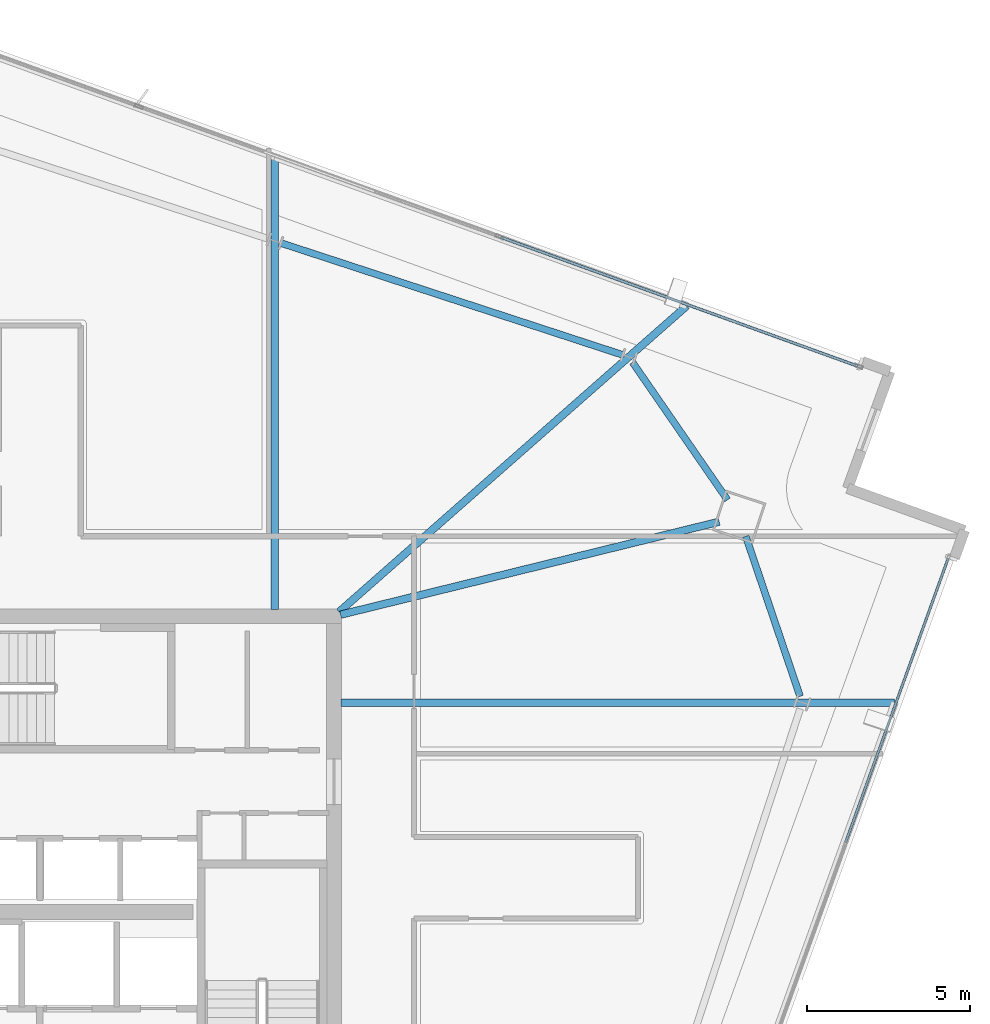
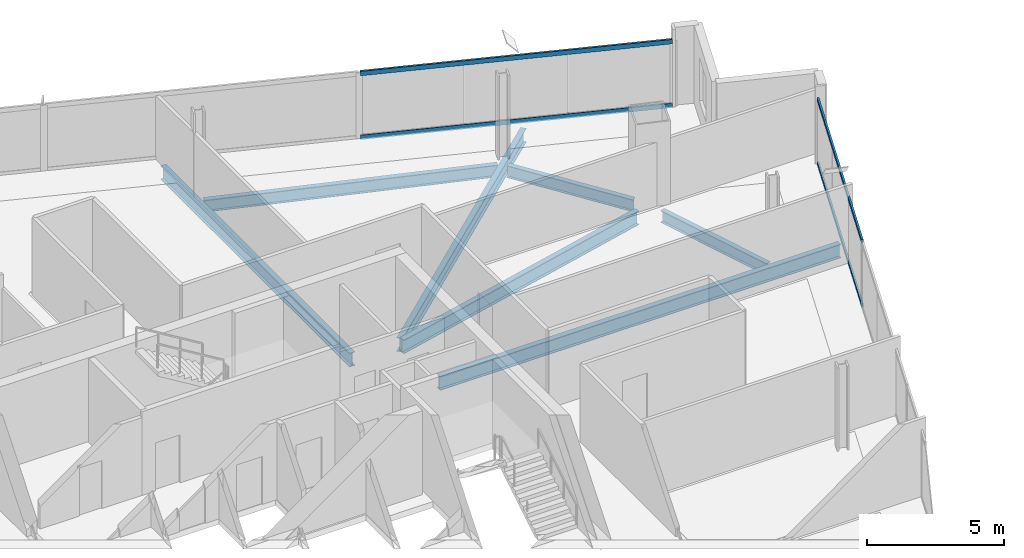
# One storey, part 15 of 27: 7 beams, 4 members, 2 elements without a shape of their own.
"""IFC4 building model written with IfcOpenShell, lengths in metres."""

import ifcopenshell
import ifcopenshell.guid

model = None  # the IFC model being written
_history = None  # IfcOwnerHistory: only IFC2X3 demands one
_inside = {}  # id of a spatial element -> (the spatial element, [elements in it])
_under = {}  # id of a project, library or spatial element -> (it, [spatial elements below it])
_declared = {}  # id of a project -> (the project, [libraries it declares])
_typed = {}  # id of a type object -> (the type object, [elements of that type])
_made_of = {}  # id of a material, layer set ... -> (it, [elements and type objects made of it])


def new_model(schema):
    """Start an empty IFC model of exactly this schema.

    Asked for "IFC4X3", IfcOpenShell would pick the latest addendum, in which some entities
    have other attributes; the version numbers below select the first issue.
    IFC2X3 requires an IfcOwnerHistory on every rooted entity: one is made here for all.
    """
    global model, _history
    if schema == "IFC4X3":
        model = ifcopenshell.file(schema_version=(4, 3, 0, 0))
    else:
        model = ifcopenshell.file(schema=schema)
    _inside.clear()
    _under.clear()
    _declared.clear()
    _typed.clear()
    _made_of.clear()
    _history = None
    if model.schema == "IFC2X3":
        org = make("IfcOrganization", Name="unknown")
        user = make(
            "IfcPersonAndOrganization",
            ThePerson=make("IfcPerson", FamilyName="unknown"),
            TheOrganization=org,
        )
        app = make(
            "IfcApplication",
            ApplicationDeveloper=org,
            Version="unknown",
            ApplicationFullName="unknown",
            ApplicationIdentifier="unknown",
        )
        _history = make(
            "IfcOwnerHistory",
            OwningUser=user,
            OwningApplication=app,
            ChangeAction="ADDED",
            CreationDate=0,
        )
    return model


def make(cls, **values):
    """One entity of the class cls with the attributes given. An attribute that is None is left unset."""
    return model.create_entity(
        cls, **{name: value for name, value in values.items() if value is not None}
    )


def rooted(cls, **values):
    """An entity with a GlobalId (a new one), such as an element, a storey or a relation."""
    return make(cls, GlobalId=ifcopenshell.guid.new(), OwnerHistory=_history, **values)


def si_unit(unit_type, name, prefix=None):
    """IfcSIUnit, for example si_unit("LENGTHUNIT", "METRE", prefix="MILLI")."""
    return make("IfcSIUnit", UnitType=unit_type, Prefix=prefix, Name=name)


def assignment(units):
    """IfcUnitAssignment: the units of a project."""
    return None if units is None else make("IfcUnitAssignment", Units=units)


def point(xyz):
    """IfcCartesianPoint."""
    return None if xyz is None else make("IfcCartesianPoint", Coordinates=xyz)


def direction(xyz):
    """IfcDirection."""
    return None if xyz is None else make("IfcDirection", DirectionRatios=xyz)


def frame(location, z_axis=None, x_axis=None):
    """IfcAxis2Placement3D, a coordinate frame: its origin and axes. An axis left out is left unset."""
    return make(
        "IfcAxis2Placement3D",
        Location=point(location),
        Axis=direction(z_axis),
        RefDirection=direction(x_axis),
    )


def frame_2d(location, x_axis=None):
    """IfcAxis2Placement2D, a coordinate frame in the plane: its origin and x axis."""
    return make(
        "IfcAxis2Placement2D", Location=point(location), RefDirection=direction(x_axis)
    )


def origin():
    """The frame at (0, 0, 0) with its axes left unset."""
    return frame((0.0, 0.0, 0.0))


def origin_2d():
    """The frame at (0, 0) in the plane with its x axis left unset."""
    return frame_2d((0.0, 0.0))


def place(relative_to, where):
    """IfcLocalPlacement: puts the frame where relative to a parent placement (None: the world)."""
    return make(
        "IfcLocalPlacement", PlacementRelTo=relative_to, RelativePlacement=where
    )


def context(
    kind, dimensions, precision=None, world=None, true_north=None, identifier=None
):
    """IfcGeometricRepresentationContext, for example the 3D "Model" context."""
    return make(
        "IfcGeometricRepresentationContext",
        ContextIdentifier=identifier,
        ContextType=kind,
        CoordinateSpaceDimension=dimensions,
        Precision=precision,
        WorldCoordinateSystem=world,
        TrueNorth=true_north,
    )


def subcontext(parent, identifier, kind, view, scale=None):
    """IfcGeometricRepresentationSubContext, for example "Body" below "Model"."""
    return make(
        "IfcGeometricRepresentationSubContext",
        ContextIdentifier=identifier,
        ContextType=kind,
        ParentContext=parent,
        TargetScale=scale,
        TargetView=view,
    )


def project(units=None, contexts=None):
    """IfcProject with its units and contexts."""
    return rooted(
        "IfcProject",
        Name="project",
        RepresentationContexts=contexts,
        UnitsInContext=assignment(units),
    )


def spatial(cls, under=None, at=None, **own):
    """A site, building, storey or space (cls), placed at a placement, below another one or the project."""
    s = rooted(cls, ObjectPlacement=at, **own)
    if under is not None:
        _under.setdefault(under.id(), (under, []))[1].append(s)
    return s


def profile(cls, at=None, kind="AREA", **sizes):
    """A parametric profile (cls). Its sizes go by their IFC names, for example OverallWidth=200.0."""
    return make(cls, ProfileType=kind, Position=at, **sizes)


def hollow_rectangle(**sizes):
    """IfcRectangleHollowProfileDef."""
    return profile("IfcRectangleHollowProfileDef", **sizes)


def i_section(**sizes):
    """IfcIShapeProfileDef."""
    return profile("IfcIShapeProfileDef", **sizes)


def extrude(swept, where, along, depth):
    """IfcExtrudedAreaSolid: the profile swept, set in the frame where, extruded along a direction by depth."""
    return make(
        "IfcExtrudedAreaSolid",
        SweptArea=swept,
        Position=where,
        ExtrudedDirection=direction(along),
        Depth=depth,
    )


def shape(context_of_items, identifier, shape_type, items):
    """IfcShapeRepresentation: the items that make up one representation, for example the "Body"."""
    return make(
        "IfcShapeRepresentation",
        ContextOfItems=context_of_items,
        RepresentationIdentifier=identifier,
        RepresentationType=shape_type,
        Items=items,
    )


def material(Name=None, Category=None):
    """IfcMaterial."""
    return make("IfcMaterial", Name=Name, Category=Category)


def material_profile(
    of_material, cross_section, Name=None, Category=None, Priority=None
):
    """IfcMaterialProfile: a cross section and its material."""
    return make(
        "IfcMaterialProfile",
        Name=Name,
        Material=of_material,
        Profile=cross_section,
        Priority=Priority,
        Category=Category,
    )


def profile_set(profiles, Name=None, composite=None):
    """IfcMaterialProfileSet."""
    return make(
        "IfcMaterialProfileSet",
        Name=Name,
        MaterialProfiles=profiles,
        CompositeProfile=composite,
    )


def made_of(thing, what):
    """Note that an element or type object is made of a material, layer set ...; save() writes the relation."""
    if what is not None:
        _made_of.setdefault(what.id(), (what, []))[1].append(thing)
    return thing


def type_object(cls, material=None, **own):
    """A type object (cls), such as IfcWallType, which elements share."""
    return made_of(rooted(cls, **own), material)


def element(
    cls,
    number,
    at=None,
    inside=None,
    cuts=None,
    type_object=None,
    material=None,
    context=None,
    identifier="Body",
    shape_type=None,
    held_by="IfcProductDefinitionShape",
    body=None,
    shapes=None,
    **own,
):
    """One element of the class cls, such as IfcWall. Its Tag is "e" and its number.

    at: its placement. inside: the storey or other place that contains it. cuts: it is an
    opening in that element (IfcRelVoidsElement). A single representation is given by context,
    identifier, shape_type and body (its items); several are given by shapes. held_by: the class
    of the entity that holds the representations. save() writes the other relations.
    """
    e = rooted(cls, Tag="e%d" % number, ObjectPlacement=at, **own)
    if body is not None:
        shapes = [shape(context, identifier, shape_type, body)]
    if shapes is not None:
        e.Representation = make(held_by, Representations=shapes)
    if inside is not None:
        _inside.setdefault(inside.id(), (inside, []))[1].append(e)
    if cuts is not None:
        rooted(
            "IfcRelVoidsElement", RelatingBuildingElement=cuts, RelatedOpeningElement=e
        )
    if type_object is not None:
        _typed.setdefault(type_object.id(), (type_object, []))[1].append(e)
    return made_of(e, material)


def aggregate(whole, parts):
    """IfcRelAggregates: a whole, such as a stair, and the parts it consists of."""
    return rooted("IfcRelAggregates", RelatingObject=whole, RelatedObjects=parts)


def save(model, path):
    """Write the relations noted so far, then the file.

    IfcRelAggregates (storeys below a building ...), IfcRelContainedInSpatialStructure (elements
    in a storey), IfcRelDefinesByType, IfcRelAssociatesMaterial and IfcRelDeclares: one each for
    every whole, place, type object, material and project.
    """
    for whole, parts in _under.values():
        aggregate(whole, parts)
    for where, things in _inside.values():
        rooted(
            "IfcRelContainedInSpatialStructure",
            RelatedElements=things,
            RelatingStructure=where,
        )
    for kind, things in _typed.values():
        rooted("IfcRelDefinesByType", RelatedObjects=things, RelatingType=kind)
    for what, things in _made_of.values():
        rooted("IfcRelAssociatesMaterial", RelatedObjects=things, RelatingMaterial=what)
    for by, libraries in _declared.values():
        rooted("IfcRelDeclares", RelatingContext=by, RelatedDefinitions=libraries)
    model.write(path)


model = new_model("IFC4")

# Units and contexts
model_context = context("Model", 3, precision=1e-05, world=origin(), true_north=direction((0.0, 1.0)))
body_context = subcontext(model_context, "Body", "Model", "MODEL_VIEW")
ifc_project = project(units=[si_unit("LENGTHUNIT", "METRE"), si_unit("AREAUNIT", "SQUARE_METRE"), si_unit("VOLUMEUNIT", "CUBIC_METRE"), si_unit("PLANEANGLEUNIT", "RADIAN"), si_unit("MASSUNIT", "GRAM", prefix="KILO")], contexts=[model_context])

# Site, building, storey
site_placement = place(None, origin())
site = spatial("IfcSite", under=ifc_project, at=site_placement, CompositionType="ELEMENT")
building_placement = place(site_placement, origin())
building = spatial("IfcBuilding", under=site, at=building_placement, Name="Haldenkirk Collegiate Tower", CompositionType="ELEMENT")
storey_placement = place(building_placement, frame((0.0, 0.0, 263.699951171875)))
storey = spatial("IfcBuildingStorey", under=building, at=storey_placement, Name="L66", CompositionType="ELEMENT", Elevation=263.699951171875)

# Beams
ifc_material_1 = material(Name="Steel ASTM A992 Grade 50", Category="steel")
ifc_material_profile_1 = material_profile(ifc_material_1, i_section(OverallWidth=0.22998046875, OverallDepth=0.616943359375, WebThickness=0.01318359375, FlangeThickness=0.022216796875, at=origin_2d()), Name="W24X94")
ifc_profile_set_1 = profile_set([ifc_material_profile_1], Name="Steel ASTM A992 Grade 50")
beam_type_1 = type_object("IfcBeamType", Name="BM-GIRDER-W24X94", PredefinedType="BEAM", material=ifc_profile_set_1)
beam_1_placement = place(storey_placement, frame((56.783935546875, 36.893310546875, -0.578369140625), z_axis=(-0.971153636509, -0.238454637815, 0.0), x_axis=(0.238454637815, -0.971153636509, 0.0)))
element("IfcBeam", 1, at=beam_1_placement, inside=storey, type_object=beam_type_1, Name="L66 primary floor girder 02", PredefinedType="BEAM", context=body_context, shape_type="SweptSolid", body=[
    extrude(i_section(OverallWidth=0.22998046875, OverallDepth=0.616943359375, WebThickness=0.01318359375, FlangeThickness=0.022216796875, at=origin_2d()), origin(), (0.0, 0.0, 1.0), 11.9287109375),
])
beam_2_placement = place(storey_placement, frame((62.154052734375, 31.360107421875, -0.578369140625), z_axis=(-1.0, 0.0, 0.0), x_axis=(0.0, -1.0, 0.0)))
element("IfcBeam", 2, at=beam_2_placement, inside=storey, type_object=beam_type_1, Name="L66 primary floor girder 07", PredefinedType="BEAM", context=body_context, shape_type="SweptSolid", body=[
    extrude(i_section(OverallWidth=0.22998046875, OverallDepth=0.616943359375, WebThickness=0.01318359375, FlangeThickness=0.022216796875, at=origin_2d()), origin(), (0.0, 0.0, 1.0), 16.948974609375),
])
beam_3_placement = place(storey_placement, frame((55.793212890625, 43.498779296875, -0.578369140625), z_axis=(-0.750692329631, -0.660651970582, 0.0), x_axis=(0.660651970582, -0.750692329631, 0.0)))
element("IfcBeam", 3, at=beam_3_placement, inside=storey, type_object=beam_type_1, Name="L66 primary floor girder 08", PredefinedType="BEAM", context=body_context, shape_type="SweptSolid", body=[
    extrude(i_section(OverallWidth=0.22998046875, OverallDepth=0.616943359375, WebThickness=0.01318359375, FlangeThickness=0.022216796875, at=origin_2d()), origin(), (0.0, 0.0, 1.0), 14.1728515625),
])
beam_4_placement = place(storey_placement, frame((43.18994140625, 48.048583984375, -0.578369140625), z_axis=(0.0, -1.0, 0.0), x_axis=(1.0, 0.0, 0.0)))
element("IfcBeam", 4, at=beam_4_placement, inside=storey, type_object=beam_type_1, Name="L66 primary floor girder 09", PredefinedType="BEAM", context=body_context, shape_type="SweptSolid", body=[
    extrude(i_section(OverallWidth=0.22998046875, OverallDepth=0.616943359375, WebThickness=0.01318359375, FlangeThickness=0.022216796875, at=origin_2d()), origin(), (0.0, 0.0, 1.0), 13.843505859375),
])
ifc_material_profile_2 = material_profile(ifc_material_1, i_section(OverallWidth=0.2099609375, OverallDepth=0.537109375, WebThickness=0.010986328125, FlangeThickness=0.017333984375, at=origin_2d()), Name="W21X68")
ifc_profile_set_2 = profile_set([ifc_material_profile_2], Name="Steel ASTM A992 Grade 50")
beam_type_2 = type_object("IfcBeamType", Name="BM-SPANDREL-W21X68", PredefinedType="SPANDREL", material=ifc_profile_set_2)
beam_5_placement = place(storey_placement, frame((59.258544921875, 31.5517578125, -0.538330078125), z_axis=(-0.321225245884, 0.947002820168, 0.0), x_axis=(-0.947002820168, -0.321225245884, 0.0)))
element("IfcBeam", 5, at=beam_5_placement, inside=storey, type_object=beam_type_2, Name="L66 perimeter spandrel beam 04", PredefinedType="SPANDREL", context=body_context, shape_type="SweptSolid", body=[
    extrude(i_section(OverallWidth=0.2099609375, OverallDepth=0.537109375, WebThickness=0.010986328125, FlangeThickness=0.017333984375, at=origin_2d()), origin(), (0.0, 0.0, 1.0), 5.1689453125),
])
beam_6_placement = place(storey_placement, frame((57.037841796875, 37.56201171875, -0.538330078125), z_axis=(-0.568092176681, 0.822964931692, 0.0), x_axis=(-0.822964931692, -0.568092176681, 0.0)))
element("IfcBeam", 6, at=beam_6_placement, inside=storey, type_object=beam_type_2, Name="L66 perimeter spandrel beam 05", PredefinedType="SPANDREL", context=body_context, shape_type="SweptSolid", body=[
    extrude(i_section(OverallWidth=0.2099609375, OverallDepth=0.537109375, WebThickness=0.010986328125, FlangeThickness=0.017333984375, at=origin_2d()), origin(), (0.0, 0.0, 1.0), 5.11328125),
])
beam_7_placement = place(storey_placement, frame((53.825439453125, 41.99951171875, -0.538330078125), z_axis=(-0.950402144652, 0.311023734531, 0.0), x_axis=(-0.311023734531, -0.950402144652, 0.0)))
element("IfcBeam", 7, at=beam_7_placement, inside=storey, type_object=beam_type_2, Name="L66 perimeter spandrel beam 06", PredefinedType="SPANDREL", context=body_context, shape_type="SweptSolid", body=[
    extrude(i_section(OverallWidth=0.2099609375, OverallDepth=0.537109375, WebThickness=0.010986328125, FlangeThickness=0.017333984375, at=origin_2d()), origin(), (0.0, 0.0, 1.0), 10.98779296875),
])

# Curtain wall, members
ifc_material_2 = material(Name="Anodised architectural bronze aluminium", Category="aluminium")
curtain_wall_type_1 = type_object("IfcCurtainWallType", Name="CW-SYS2-CONCAVE", PredefinedType="USERDEFINED", material=ifc_material_2)
curtain_wall_1_placement = place(storey_placement, origin())
curtain_wall_1 = element("IfcCurtainWall", 8, at=curtain_wall_1_placement, inside=storey, type_object=curtain_wall_type_1, Name="L66 South concave recessed bronze-anodised curtain wall", ObjectType="UNITISED CURTAIN WALL", PredefinedType="USERDEFINED")
ifc_material_profile_3 = material_profile(ifc_material_2, hollow_rectangle(XDim=0.074951171875, YDim=0.159912109375, WallThickness=0.0048828125, at=origin_2d()), Name="CW-TRN-02")
ifc_profile_set_3 = profile_set([ifc_material_profile_3], Name="Anodised architectural bronze aluminium")
member_type_1 = type_object("IfcMemberType", Name="CW-TRN-02", PredefinedType="USERDEFINED", material=ifc_profile_set_3)
member_1_placement = place(storey_placement, frame((63.788330078125, 35.769775390625, 0.03759765625), z_axis=(-0.339537301108, -0.940592590422, 0.0), x_axis=(0.940592590422, -0.339537301108, 0.0)))
member_1 = element("IfcMember", 9, at=member_1_placement, type_object=member_type_1, Name="CW-02 transom 1.1", ObjectType="TRANSOM", PredefinedType="USERDEFINED", context=body_context, shape_type="SweptSolid", body=[
    extrude(hollow_rectangle(XDim=0.074951171875, YDim=0.159912109375, WallThickness=0.0048828125, at=origin_2d()), origin(), (0.0, 0.0, 1.0), 9.237548828125),
])
member_2_placement = place(storey_placement, frame((63.788330078125, 35.769775390625, 2.900634765625), z_axis=(-0.339537301108, -0.940592590422, 0.0), x_axis=(0.940592590422, -0.339537301108, 0.0)))
member_2 = element("IfcMember", 10, at=member_2_placement, type_object=member_type_1, Name="CW-02 transom 1.2", ObjectType="TRANSOM", PredefinedType="USERDEFINED", context=body_context, shape_type="SweptSolid", body=[
    extrude(hollow_rectangle(XDim=0.074951171875, YDim=0.159912109375, WallThickness=0.0048828125, at=origin_2d()), origin(), (0.0, 0.0, 1.0), 9.237548828125),
])
aggregate(curtain_wall_1, [member_1, member_2])

curtain_wall_type_2 = type_object("IfcCurtainWallType", Name="CW-SYS1B-CONVEX-HI", PredefinedType="USERDEFINED", material=ifc_material_2)
curtain_wall_2_placement = place(storey_placement, origin())
curtain_wall_2 = element("IfcCurtainWall", 11, at=curtain_wall_2_placement, inside=storey, type_object=curtain_wall_type_2, Name="L66 Upper tower high-wind convex bronze unitised curtain wall", ObjectType="UNITISED CURTAIN WALL", PredefinedType="USERDEFINED")
ifc_material_profile_4 = material_profile(ifc_material_2, hollow_rectangle(XDim=0.0849609375, YDim=0.199951171875, WallThickness=0.0048828125, at=origin_2d()), Name="CW-TRN-1B")
ifc_profile_set_4 = profile_set([ifc_material_profile_4], Name="Anodised architectural bronze aluminium")
member_type_2 = type_object("IfcMemberType", Name="CW-TRN-1B", PredefinedType="USERDEFINED", material=ifc_profile_set_4)
member_3_placement = place(storey_placement, frame((50.10107421875, 45.59619140625, 0.04248046875), z_axis=(0.940583203017, -0.339563305148, 0.0), x_axis=(0.339563305148, 0.940583203017, 0.0)))
member_3 = element("IfcMember", 12, at=member_3_placement, type_object=member_type_2, Name="CW-1B transom 3.1", ObjectType="TRANSOM", PredefinedType="USERDEFINED", context=body_context, shape_type="SweptSolid", body=[
    extrude(hollow_rectangle(XDim=0.0849609375, YDim=0.199951171875, WallThickness=0.0048828125, at=origin_2d()), origin(), (0.0, 0.0, 1.0), 11.60595703125),
])
member_4_placement = place(storey_placement, frame((50.10107421875, 45.59619140625, 2.8955078125), z_axis=(0.940583203017, -0.339563305148, 0.0), x_axis=(0.339563305148, 0.940583203017, 0.0)))
member_4 = element("IfcMember", 13, at=member_4_placement, type_object=member_type_2, Name="CW-1B transom 3.2", ObjectType="TRANSOM", PredefinedType="USERDEFINED", context=body_context, shape_type="SweptSolid", body=[
    extrude(hollow_rectangle(XDim=0.0849609375, YDim=0.199951171875, WallThickness=0.0048828125, at=origin_2d()), origin(), (0.0, 0.0, 1.0), 11.60595703125),
])
aggregate(curtain_wall_2, [member_3, member_4])

save(model, "model.ifc")
